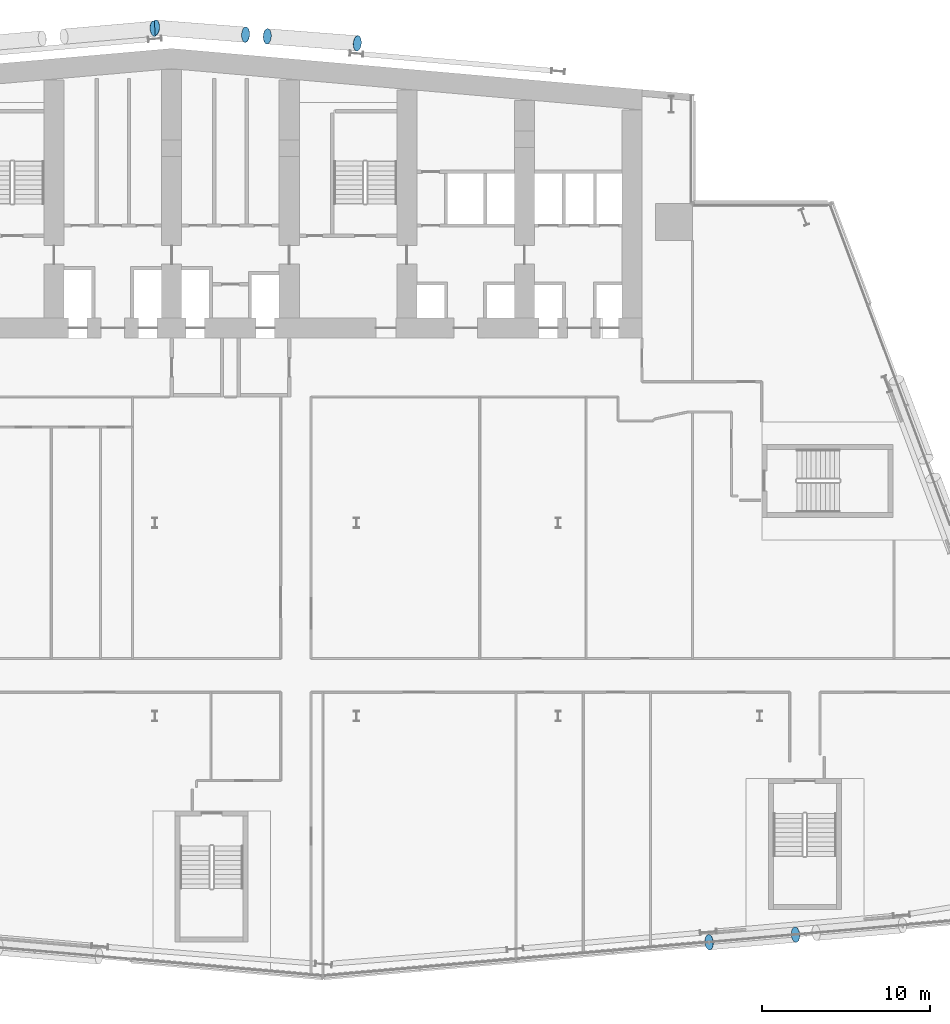
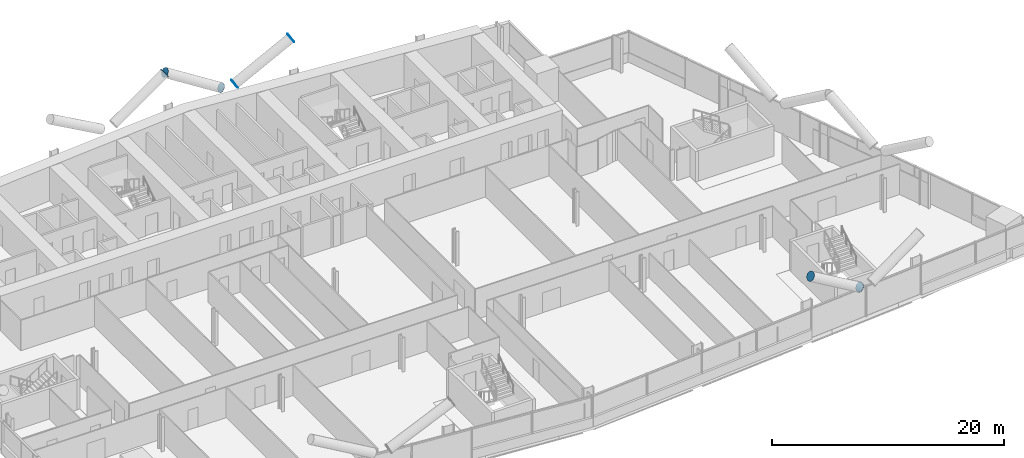
# One storey, part 22 of 27: 7 discrete accessories.
"""IFC4 building model written with IfcOpenShell, lengths in metres."""

from ifc_helpers import new_model, si_unit, direction, frame, origin, origin_2d, place, context, subcontext, project, spatial, circle, extrude, material, material_profile, profile_set, type_object, element, save


model = new_model("IFC4")

# Units and contexts
model_context = context("Model", 3, precision=1e-05, world=origin(), true_north=direction((0.0, 1.0)))
body_context = subcontext(model_context, "Body", "Model", "MODEL_VIEW")
ifc_project = project(units=[si_unit("LENGTHUNIT", "METRE"), si_unit("AREAUNIT", "SQUARE_METRE"), si_unit("VOLUMEUNIT", "CUBIC_METRE"), si_unit("PLANEANGLEUNIT", "RADIAN"), si_unit("MASSUNIT", "GRAM", prefix="KILO")], contexts=[model_context])

# Site, building, storey
site_placement = place(None, origin())
site = spatial("IfcSite", under=ifc_project, at=site_placement, CompositionType="ELEMENT")
building_placement = place(site_placement, origin())
building = spatial("IfcBuilding", under=site, at=building_placement, Name="Wharfspan Tower", CompositionType="ELEMENT")
storey_placement = place(building_placement, frame((0.0, 0.0, 84.699951)))
storey = spatial("IfcBuildingStorey", under=building, at=storey_placement, Name="L18", CompositionType="ELEMENT", Elevation=84.699951)

# Discrete accessories
ifc_material = material(Name="Steel S460NH", Category="steel")
ifc_material_profile = material_profile(ifc_material, circle(Radius=0.457031, at=origin_2d()))
ifc_profile_set = profile_set([ifc_material_profile], Name="Steel S460NH")
discrete_accessory_type = type_object("IfcDiscreteAccessoryType", Name="End plate CHS 914x40", PredefinedType="BRACKET", material=ifc_profile_set)
for number, where, z_axis, x_axis, name in (
    (1, (74.137451, -1.507568, 3.280518), (-0.837276, -0.073877, 0.541767), (0.087893, -0.996132, -1e-06), "End plate CHS 914x40"),
    (2, (68.995117, -1.95752, 6.5), (-0.837276, -0.073877, 0.541767), (0.087893, -0.996132, -1e-06), "End plate CHS 914x40"),
    (3, (35.947266, 52.412842, 6.5), (0.855186, 0.073302, 0.513112), (-0.085402, 0.996345, 1e-06), "End plate CHS 914x40"),
    (4, (42.687988, 51.960449, 3.285156), (0.856465, -0.048941, 0.513879), (0.05705, 0.998372, 0.0), "End plate CHS 914x40"),
    (5, (48.044434, 51.544434, 6.5), (0.855186, -0.073302, 0.513112), (0.085402, 0.996345, -1e-06), "End plate CHS 914x40"),
    (6, (41.405029, 52.060303, 3.285156), (-0.856465, 0.048941, 0.513879), (-0.05705, -0.998372, 0.0), "End plate CHS 914x40"),
    (7, (36.048584, 52.476318, 6.5), (-0.856465, 0.048941, 0.513879), (-0.05705, -0.998372, 0.0), "End plate CHS 914x40"),
):
    element("IfcDiscreteAccessory", number, at=place(storey_placement, frame(where, z_axis=z_axis, x_axis=x_axis)), inside=storey, type_object=discrete_accessory_type, Name=name, PredefinedType="BRACKET", context=body_context, shape_type="SweptSolid", body=[
        extrude(circle(Radius=0.457031, at=origin_2d()), origin(), (0.0, 0.0, 1.0), 0.01001),
    ])

save(model, "model.ifc")
